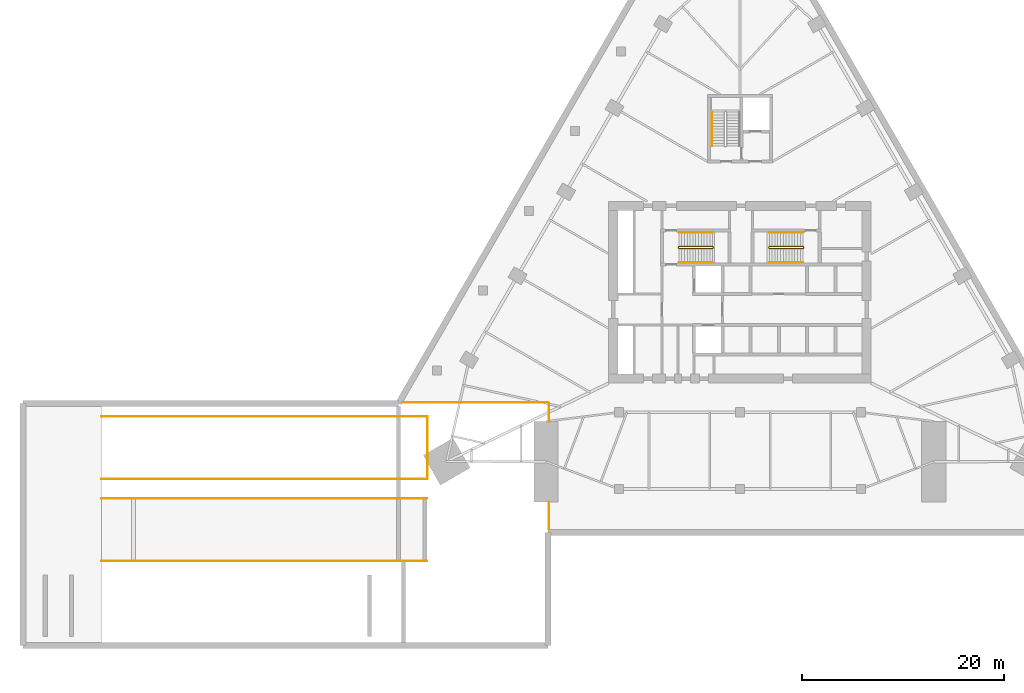
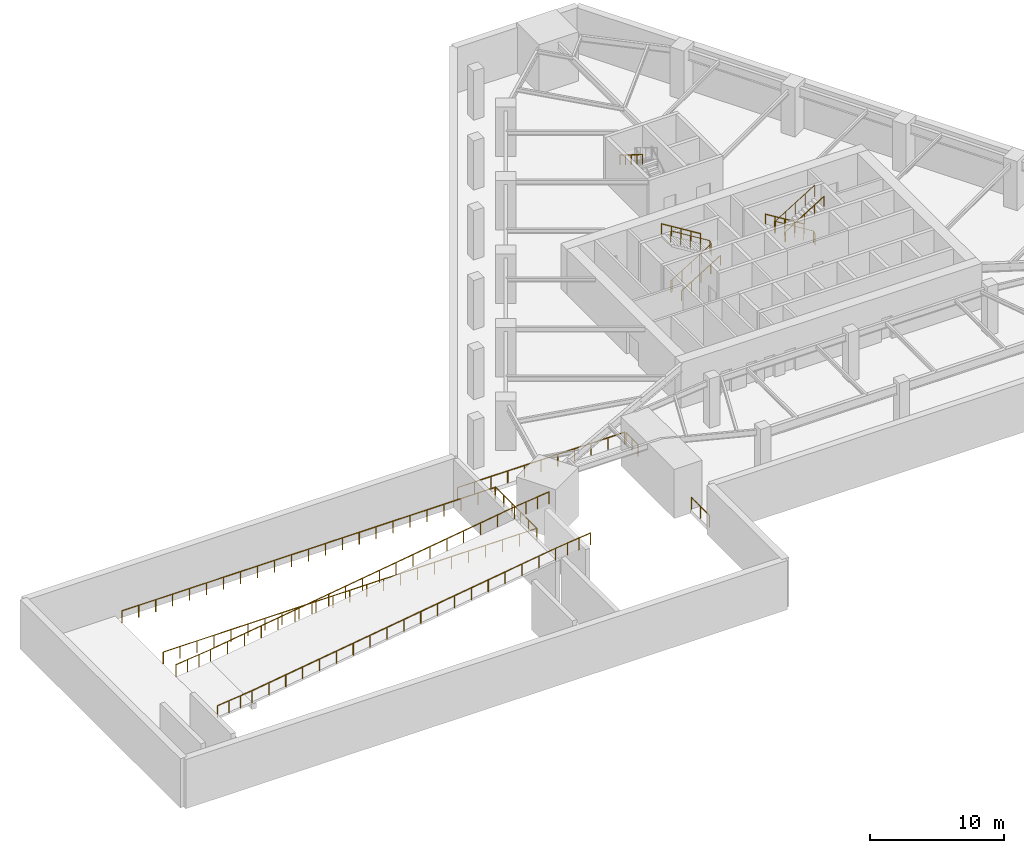
# One storey, part 6 of 7: 15 railings.
"""IFC4 building model written with IfcOpenShell, lengths in metres."""

from ifc_helpers import new_model, si_unit, direction, frame, origin, origin_2d, place, context, subcontext, project, spatial, circle, extrude, material, type_object, element, save


model = new_model("IFC4")

# Units and contexts
model_context = context("Model", 3, precision=1e-05, world=origin(), true_north=direction((0.0, 1.0)))
body_context = subcontext(model_context, "Body", "Model", "MODEL_VIEW")
ifc_project = project(units=[si_unit("LENGTHUNIT", "METRE"), si_unit("AREAUNIT", "SQUARE_METRE"), si_unit("VOLUMEUNIT", "CUBIC_METRE"), si_unit("PLANEANGLEUNIT", "RADIAN"), si_unit("MASSUNIT", "GRAM", prefix="KILO")], contexts=[model_context])

# Site, building, storey
site_placement = place(None, origin())
site = spatial("IfcSite", under=ifc_project, at=site_placement, CompositionType="ELEMENT")
building_placement = place(site_placement, origin())
building = spatial("IfcBuilding", under=site, at=building_placement, Name="Firuza Gate Tower and Library", CompositionType="ELEMENT")
storey_placement = place(building_placement, frame((0.0, 0.0, -9.5)))
storey = spatial("IfcBuildingStorey", under=building, at=storey_placement, Name="B2", CompositionType="ELEMENT", Elevation=-9.5)

# Railings
ifc_material_1 = material(Name="Steel S355", Category="steel")
railing_type_1 = type_object("IfcRailingType", Name="Ramp guard 1100", PredefinedType="GUARDRAIL", material=ifc_material_1)
railing_1_placement = place(storey_placement, frame((11.75, 56.5, 0.0)))
element("IfcRailing", 1, at=railing_1_placement, inside=storey, type_object=railing_type_1, Name="Ramp R3 opening guard S", PredefinedType="GUARDRAIL", context=body_context, shape_type="SweptSolid", body=[
    extrude(circle(Radius=0.02392578125, at=origin_2d()), frame((0.0, 0.0, 1.076171875), z_axis=(1.0, 0.0, 0.0), x_axis=(0.0, 1.0, 0.0)), (0.0, 0.0, 1.0), 32.25),
    extrude(circle(Radius=0.02099609375, at=origin_2d()), origin(), (0.0, 0.0, 1.0), 1.052001953125),
    extrude(circle(Radius=0.02099609375, at=origin_2d()), frame((1.4658203125, 0.0, 0.0)), (0.0, 0.0, 1.0), 1.052001953125),
    extrude(circle(Radius=0.02099609375, at=origin_2d()), frame((2.931884765625, 0.0, 0.0)), (0.0, 0.0, 1.0), 1.052001953125),
    extrude(circle(Radius=0.02099609375, at=origin_2d()), frame((4.397705078125, 0.0, 0.0)), (0.0, 0.0, 1.0), 1.052001953125),
    extrude(circle(Radius=0.02099609375, at=origin_2d()), frame((5.863525390625, 0.0, 0.0)), (0.0, 0.0, 1.0), 1.052001953125),
    extrude(circle(Radius=0.02099609375, at=origin_2d()), frame((7.32958984375, 0.0, 0.0)), (0.0, 0.0, 1.0), 1.052001953125),
    extrude(circle(Radius=0.02099609375, at=origin_2d()), frame((8.79541015625, 0.0, 0.0)), (0.0, 0.0, 1.0), 1.052001953125),
    extrude(circle(Radius=0.02099609375, at=origin_2d()), frame((10.261474609375, 0.0, 0.0)), (0.0, 0.0, 1.0), 1.052001953125),
    extrude(circle(Radius=0.02099609375, at=origin_2d()), frame((11.727294921875, 0.0, 0.0)), (0.0, 0.0, 1.0), 1.052001953125),
    extrude(circle(Radius=0.02099609375, at=origin_2d()), frame((13.193115234375, 0.0, 0.0)), (0.0, 0.0, 1.0), 1.052001953125),
    extrude(circle(Radius=0.02099609375, at=origin_2d()), frame((14.6591796875, 0.0, 0.0)), (0.0, 0.0, 1.0), 1.052001953125),
    extrude(circle(Radius=0.02099609375, at=origin_2d()), frame((16.125, 0.0, 0.0)), (0.0, 0.0, 1.0), 1.052001953125),
    extrude(circle(Radius=0.02099609375, at=origin_2d()), frame((17.5908203125, 0.0, 0.0)), (0.0, 0.0, 1.0), 1.052001953125),
    extrude(circle(Radius=0.02099609375, at=origin_2d()), frame((19.056884765625, 0.0, 0.0)), (0.0, 0.0, 1.0), 1.052001953125),
    extrude(circle(Radius=0.02099609375, at=origin_2d()), frame((20.522705078125, 0.0, 0.0)), (0.0, 0.0, 1.0), 1.052001953125),
    extrude(circle(Radius=0.02099609375, at=origin_2d()), frame((21.988525390625, 0.0, 0.0)), (0.0, 0.0, 1.0), 1.052001953125),
    extrude(circle(Radius=0.02099609375, at=origin_2d()), frame((23.45458984375, 0.0, 0.0)), (0.0, 0.0, 1.0), 1.052001953125),
    extrude(circle(Radius=0.02099609375, at=origin_2d()), frame((24.92041015625, 0.0, 0.0)), (0.0, 0.0, 1.0), 1.052001953125),
    extrude(circle(Radius=0.02099609375, at=origin_2d()), frame((26.386474609375, 0.0, 0.0)), (0.0, 0.0, 1.0), 1.052001953125),
    extrude(circle(Radius=0.02099609375, at=origin_2d()), frame((27.852294921875, 0.0, 0.0)), (0.0, 0.0, 1.0), 1.052001953125),
    extrude(circle(Radius=0.02099609375, at=origin_2d()), frame((29.318115234375, 0.0, 0.0)), (0.0, 0.0, 1.0), 1.052001953125),
    extrude(circle(Radius=0.02099609375, at=origin_2d()), frame((30.7841796875, 0.0, 0.0)), (0.0, 0.0, 1.0), 1.052001953125),
    extrude(circle(Radius=0.02099609375, at=origin_2d()), frame((32.25, 0.0, 0.0)), (0.0, 0.0, 1.0), 1.052001953125),
])
railing_2_placement = place(storey_placement, frame((11.75, 62.699951171875, 0.0)))
element("IfcRailing", 2, at=railing_2_placement, inside=storey, type_object=railing_type_1, Name="Ramp R3 opening guard N", PredefinedType="GUARDRAIL", context=body_context, shape_type="SweptSolid", body=[
    extrude(circle(Radius=0.02392578125, at=origin_2d()), frame((0.0, 0.0, 1.076171875), z_axis=(1.0, 0.0, 0.0), x_axis=(0.0, 1.0, 0.0)), (0.0, 0.0, 1.0), 32.25),
    extrude(circle(Radius=0.02099609375, at=origin_2d()), origin(), (0.0, 0.0, 1.0), 1.052001953125),
    extrude(circle(Radius=0.02099609375, at=origin_2d()), frame((1.4658203125, 0.0, 0.0)), (0.0, 0.0, 1.0), 1.052001953125),
    extrude(circle(Radius=0.02099609375, at=origin_2d()), frame((2.931884765625, 0.0, 0.0)), (0.0, 0.0, 1.0), 1.052001953125),
    extrude(circle(Radius=0.02099609375, at=origin_2d()), frame((4.397705078125, 0.0, 0.0)), (0.0, 0.0, 1.0), 1.052001953125),
    extrude(circle(Radius=0.02099609375, at=origin_2d()), frame((5.863525390625, 0.0, 0.0)), (0.0, 0.0, 1.0), 1.052001953125),
    extrude(circle(Radius=0.02099609375, at=origin_2d()), frame((7.32958984375, 0.0, 0.0)), (0.0, 0.0, 1.0), 1.052001953125),
    extrude(circle(Radius=0.02099609375, at=origin_2d()), frame((8.79541015625, 0.0, 0.0)), (0.0, 0.0, 1.0), 1.052001953125),
    extrude(circle(Radius=0.02099609375, at=origin_2d()), frame((10.261474609375, 0.0, 0.0)), (0.0, 0.0, 1.0), 1.052001953125),
    extrude(circle(Radius=0.02099609375, at=origin_2d()), frame((11.727294921875, 0.0, 0.0)), (0.0, 0.0, 1.0), 1.052001953125),
    extrude(circle(Radius=0.02099609375, at=origin_2d()), frame((13.193115234375, 0.0, 0.0)), (0.0, 0.0, 1.0), 1.052001953125),
    extrude(circle(Radius=0.02099609375, at=origin_2d()), frame((14.6591796875, 0.0, 0.0)), (0.0, 0.0, 1.0), 1.052001953125),
    extrude(circle(Radius=0.02099609375, at=origin_2d()), frame((16.125, 0.0, 0.0)), (0.0, 0.0, 1.0), 1.052001953125),
    extrude(circle(Radius=0.02099609375, at=origin_2d()), frame((17.5908203125, 0.0, 0.0)), (0.0, 0.0, 1.0), 1.052001953125),
    extrude(circle(Radius=0.02099609375, at=origin_2d()), frame((19.056884765625, 0.0, 0.0)), (0.0, 0.0, 1.0), 1.052001953125),
    extrude(circle(Radius=0.02099609375, at=origin_2d()), frame((20.522705078125, 0.0, 0.0)), (0.0, 0.0, 1.0), 1.052001953125),
    extrude(circle(Radius=0.02099609375, at=origin_2d()), frame((21.988525390625, 0.0, 0.0)), (0.0, 0.0, 1.0), 1.052001953125),
    extrude(circle(Radius=0.02099609375, at=origin_2d()), frame((23.45458984375, 0.0, 0.0)), (0.0, 0.0, 1.0), 1.052001953125),
    extrude(circle(Radius=0.02099609375, at=origin_2d()), frame((24.92041015625, 0.0, 0.0)), (0.0, 0.0, 1.0), 1.052001953125),
    extrude(circle(Radius=0.02099609375, at=origin_2d()), frame((26.386474609375, 0.0, 0.0)), (0.0, 0.0, 1.0), 1.052001953125),
    extrude(circle(Radius=0.02099609375, at=origin_2d()), frame((27.852294921875, 0.0, 0.0)), (0.0, 0.0, 1.0), 1.052001953125),
    extrude(circle(Radius=0.02099609375, at=origin_2d()), frame((29.318115234375, 0.0, 0.0)), (0.0, 0.0, 1.0), 1.052001953125),
    extrude(circle(Radius=0.02099609375, at=origin_2d()), frame((30.7841796875, 0.0, 0.0)), (0.0, 0.0, 1.0), 1.052001953125),
    extrude(circle(Radius=0.02099609375, at=origin_2d()), frame((32.25, 0.0, 0.0)), (0.0, 0.0, 1.0), 1.052001953125),
])
railing_3_placement = place(storey_placement, frame((44.050048828125, 56.5, 0.0)))
element("IfcRailing", 3, at=railing_3_placement, inside=storey, type_object=railing_type_1, Name="Ramp R3 opening guard E", PredefinedType="GUARDRAIL", context=body_context, shape_type="SweptSolid", body=[
    extrude(circle(Radius=0.02392578125, at=origin_2d()), frame((0.0, 0.0, 1.076171875), z_axis=(0.0, 1.0, 0.0), x_axis=(-1.0, 0.0, 0.0)), (0.0, 0.0, 1.0), 6.199951171875),
    extrude(circle(Radius=0.02099609375, at=origin_2d()), origin(), (0.0, 0.0, 1.0), 1.052001953125),
    extrude(circle(Radius=0.02099609375, at=origin_2d()), frame((0.0, 1.239990234375, 0.0)), (0.0, 0.0, 1.0), 1.052001953125),
    extrude(circle(Radius=0.02099609375, at=origin_2d()), frame((0.0, 2.47998046875, 0.0)), (0.0, 0.0, 1.0), 1.052001953125),
    extrude(circle(Radius=0.02099609375, at=origin_2d()), frame((0.0, 3.719970703125, 0.0)), (0.0, 0.0, 1.0), 1.052001953125),
    extrude(circle(Radius=0.02099609375, at=origin_2d()), frame((0.0, 4.9599609375, 0.0)), (0.0, 0.0, 1.0), 1.052001953125),
    extrude(circle(Radius=0.02099609375, at=origin_2d()), frame((0.0, 6.199951171875, 0.0)), (0.0, 0.0, 1.0), 1.052001953125),
])
railing_4_placement = place(storey_placement, frame((44.0, 48.39990234375, 4.5)))
element("IfcRailing", 4, at=railing_4_placement, inside=storey, type_object=railing_type_1, Name="Car ramp 2 guard 1", PredefinedType="GUARDRAIL", context=body_context, shape_type="SweptSolid", body=[
    extrude(circle(Radius=0.02392578125, at=origin_2d()), frame((0.0, 0.0, 1.076171875), z_axis=(-0.99388669344, 0.0, -0.110404893925), x_axis=(0.0, -1.0, 0.0)), (0.0, 0.0, 1.0), 3.0185546875),
    extrude(circle(Radius=0.02392578125, at=origin_2d()), frame((-3.0, 0.0, 0.74267578125), z_axis=(-0.989504049855, 0.0, -0.144505139424), x_axis=(0.0, -1.0, 0.0)), (0.0, 0.0, 1.0), 26.5283203125),
    extrude(circle(Radius=0.02392578125, at=origin_2d()), frame((-29.25, 0.0, -3.0908203125), z_axis=(-0.99388669344, 0.0, -0.110404893925), x_axis=(0.0, -1.0, 0.0)), (0.0, 0.0, 1.0), 3.0185546875),
    extrude(circle(Radius=0.02099609375, at=origin_2d()), origin(), (0.0, 0.0, 1.0), 1.052001953125),
    extrude(circle(Radius=0.02099609375, at=origin_2d()), frame((-1.0, 0.0, -0.111083984375)), (0.0, 0.0, 1.0), 1.052001953125),
    extrude(circle(Radius=0.02099609375, at=origin_2d()), frame((-2.0, 0.0, -0.22216796875)), (0.0, 0.0, 1.0), 1.052001953125),
    extrude(circle(Radius=0.02099609375, at=origin_2d()), frame((-3.0, 0.0, -0.333251953125)), (0.0, 0.0, 1.0), 1.052001953125),
    extrude(circle(Radius=0.02099609375, at=origin_2d()), frame((-4.458251953125, 0.0, -0.546142578125)), (0.0, 0.0, 1.0), 1.052001953125),
    extrude(circle(Radius=0.02099609375, at=origin_2d()), frame((-5.916748046875, 0.0, -0.75927734375)), (0.0, 0.0, 1.0), 1.052001953125),
    extrude(circle(Radius=0.02099609375, at=origin_2d()), frame((-7.375, 0.0, -0.97216796875)), (0.0, 0.0, 1.0), 1.052001953125),
    extrude(circle(Radius=0.02099609375, at=origin_2d()), frame((-8.833251953125, 0.0, -1.18505859375)), (0.0, 0.0, 1.0), 1.052001953125),
    extrude(circle(Radius=0.02099609375, at=origin_2d()), frame((-10.291748046875, 0.0, -1.398193359375)), (0.0, 0.0, 1.0), 1.052001953125),
    extrude(circle(Radius=0.02099609375, at=origin_2d()), frame((-11.75, 0.0, -1.611083984375)), (0.0, 0.0, 1.0), 1.052001953125),
    extrude(circle(Radius=0.02099609375, at=origin_2d()), frame((-13.208251953125, 0.0, -1.823974609375)), (0.0, 0.0, 1.0), 1.052001953125),
    extrude(circle(Radius=0.02099609375, at=origin_2d()), frame((-14.666748046875, 0.0, -2.037109375)), (0.0, 0.0, 1.0), 1.052001953125),
    extrude(circle(Radius=0.02099609375, at=origin_2d()), frame((-16.125, 0.0, -2.25)), (0.0, 0.0, 1.0), 1.052001953125),
    extrude(circle(Radius=0.02099609375, at=origin_2d()), frame((-17.583251953125, 0.0, -2.462890625)), (0.0, 0.0, 1.0), 1.052001953125),
    extrude(circle(Radius=0.02099609375, at=origin_2d()), frame((-19.041748046875, 0.0, -2.676025390625)), (0.0, 0.0, 1.0), 1.052001953125),
    extrude(circle(Radius=0.02099609375, at=origin_2d()), frame((-20.5, 0.0, -2.888916015625)), (0.0, 0.0, 1.0), 1.052001953125),
    extrude(circle(Radius=0.02099609375, at=origin_2d()), frame((-21.958251953125, 0.0, -3.101806640625)), (0.0, 0.0, 1.0), 1.052001953125),
    extrude(circle(Radius=0.02099609375, at=origin_2d()), frame((-23.416748046875, 0.0, -3.31494140625)), (0.0, 0.0, 1.0), 1.052001953125),
    extrude(circle(Radius=0.02099609375, at=origin_2d()), frame((-24.875, 0.0, -3.52783203125)), (0.0, 0.0, 1.0), 1.052001953125),
    extrude(circle(Radius=0.02099609375, at=origin_2d()), frame((-26.333251953125, 0.0, -3.74072265625)), (0.0, 0.0, 1.0), 1.052001953125),
    extrude(circle(Radius=0.02099609375, at=origin_2d()), frame((-27.791748046875, 0.0, -3.953857421875)), (0.0, 0.0, 1.0), 1.052001953125),
    extrude(circle(Radius=0.02099609375, at=origin_2d()), frame((-29.25, 0.0, -4.166748046875)), (0.0, 0.0, 1.0), 1.052001953125),
    extrude(circle(Radius=0.02099609375, at=origin_2d()), frame((-30.25, 0.0, -4.27783203125)), (0.0, 0.0, 1.0), 1.052001953125),
    extrude(circle(Radius=0.02099609375, at=origin_2d()), frame((-31.25, 0.0, -4.388916015625)), (0.0, 0.0, 1.0), 1.052001953125),
    extrude(circle(Radius=0.02099609375, at=origin_2d()), frame((-32.25, 0.0, -4.5)), (0.0, 0.0, 1.0), 1.052001953125),
])
railing_5_placement = place(storey_placement, frame((44.0, 54.60009765625, 4.5)))
element("IfcRailing", 5, at=railing_5_placement, inside=storey, type_object=railing_type_1, Name="Car ramp 2 guard 2", PredefinedType="GUARDRAIL", context=body_context, shape_type="SweptSolid", body=[
    extrude(circle(Radius=0.02392578125, at=origin_2d()), frame((0.0, 0.0, 1.076171875), z_axis=(-0.99388669344, 0.0, -0.110404893925), x_axis=(0.0, -1.0, 0.0)), (0.0, 0.0, 1.0), 3.0185546875),
    extrude(circle(Radius=0.02392578125, at=origin_2d()), frame((-3.0, 0.0, 0.74267578125), z_axis=(-0.989504049855, 0.0, -0.144505139424), x_axis=(0.0, -1.0, 0.0)), (0.0, 0.0, 1.0), 26.5283203125),
    extrude(circle(Radius=0.02392578125, at=origin_2d()), frame((-29.25, 0.0, -3.0908203125), z_axis=(-0.99388669344, 0.0, -0.110404893925), x_axis=(0.0, -1.0, 0.0)), (0.0, 0.0, 1.0), 3.0185546875),
    extrude(circle(Radius=0.02099609375, at=origin_2d()), origin(), (0.0, 0.0, 1.0), 1.052001953125),
    extrude(circle(Radius=0.02099609375, at=origin_2d()), frame((-1.0, 0.0, -0.111083984375)), (0.0, 0.0, 1.0), 1.052001953125),
    extrude(circle(Radius=0.02099609375, at=origin_2d()), frame((-2.0, 0.0, -0.22216796875)), (0.0, 0.0, 1.0), 1.052001953125),
    extrude(circle(Radius=0.02099609375, at=origin_2d()), frame((-3.0, 0.0, -0.333251953125)), (0.0, 0.0, 1.0), 1.052001953125),
    extrude(circle(Radius=0.02099609375, at=origin_2d()), frame((-4.458251953125, 0.0, -0.546142578125)), (0.0, 0.0, 1.0), 1.052001953125),
    extrude(circle(Radius=0.02099609375, at=origin_2d()), frame((-5.916748046875, 0.0, -0.75927734375)), (0.0, 0.0, 1.0), 1.052001953125),
    extrude(circle(Radius=0.02099609375, at=origin_2d()), frame((-7.375, 0.0, -0.97216796875)), (0.0, 0.0, 1.0), 1.052001953125),
    extrude(circle(Radius=0.02099609375, at=origin_2d()), frame((-8.833251953125, 0.0, -1.18505859375)), (0.0, 0.0, 1.0), 1.052001953125),
    extrude(circle(Radius=0.02099609375, at=origin_2d()), frame((-10.291748046875, 0.0, -1.398193359375)), (0.0, 0.0, 1.0), 1.052001953125),
    extrude(circle(Radius=0.02099609375, at=origin_2d()), frame((-11.75, 0.0, -1.611083984375)), (0.0, 0.0, 1.0), 1.052001953125),
    extrude(circle(Radius=0.02099609375, at=origin_2d()), frame((-13.208251953125, 0.0, -1.823974609375)), (0.0, 0.0, 1.0), 1.052001953125),
    extrude(circle(Radius=0.02099609375, at=origin_2d()), frame((-14.666748046875, 0.0, -2.037109375)), (0.0, 0.0, 1.0), 1.052001953125),
    extrude(circle(Radius=0.02099609375, at=origin_2d()), frame((-16.125, 0.0, -2.25)), (0.0, 0.0, 1.0), 1.052001953125),
    extrude(circle(Radius=0.02099609375, at=origin_2d()), frame((-17.583251953125, 0.0, -2.462890625)), (0.0, 0.0, 1.0), 1.052001953125),
    extrude(circle(Radius=0.02099609375, at=origin_2d()), frame((-19.041748046875, 0.0, -2.676025390625)), (0.0, 0.0, 1.0), 1.052001953125),
    extrude(circle(Radius=0.02099609375, at=origin_2d()), frame((-20.5, 0.0, -2.888916015625)), (0.0, 0.0, 1.0), 1.052001953125),
    extrude(circle(Radius=0.02099609375, at=origin_2d()), frame((-21.958251953125, 0.0, -3.101806640625)), (0.0, 0.0, 1.0), 1.052001953125),
    extrude(circle(Radius=0.02099609375, at=origin_2d()), frame((-23.416748046875, 0.0, -3.31494140625)), (0.0, 0.0, 1.0), 1.052001953125),
    extrude(circle(Radius=0.02099609375, at=origin_2d()), frame((-24.875, 0.0, -3.52783203125)), (0.0, 0.0, 1.0), 1.052001953125),
    extrude(circle(Radius=0.02099609375, at=origin_2d()), frame((-26.333251953125, 0.0, -3.74072265625)), (0.0, 0.0, 1.0), 1.052001953125),
    extrude(circle(Radius=0.02099609375, at=origin_2d()), frame((-27.791748046875, 0.0, -3.953857421875)), (0.0, 0.0, 1.0), 1.052001953125),
    extrude(circle(Radius=0.02099609375, at=origin_2d()), frame((-29.25, 0.0, -4.166748046875)), (0.0, 0.0, 1.0), 1.052001953125),
    extrude(circle(Radius=0.02099609375, at=origin_2d()), frame((-30.25, 0.0, -4.27783203125)), (0.0, 0.0, 1.0), 1.052001953125),
    extrude(circle(Radius=0.02099609375, at=origin_2d()), frame((-31.25, 0.0, -4.388916015625)), (0.0, 0.0, 1.0), 1.052001953125),
    extrude(circle(Radius=0.02099609375, at=origin_2d()), frame((-32.25, 0.0, -4.5)), (0.0, 0.0, 1.0), 1.052001953125),
])
railing_6_placement = place(storey_placement, frame((41.57763671875, 64.080078125, 0.0)))
element("IfcRailing", 6, at=railing_6_placement, inside=storey, type_object=railing_type_1, Name="B2 slab edge guard 1", PredefinedType="GUARDRAIL", context=body_context, shape_type="SweptSolid", body=[
    extrude(circle(Radius=0.02392578125, at=origin_2d()), frame((0.0, 0.0, 1.076171875), z_axis=(1.0, 0.0, 0.0), x_axis=(0.0, 1.0, 0.0)), (0.0, 0.0, 1.0), 14.42236328125),
    extrude(circle(Radius=0.02099609375, at=origin_2d()), origin(), (0.0, 0.0, 1.0), 1.052001953125),
    extrude(circle(Radius=0.02099609375, at=origin_2d()), frame((1.442138671875, 0.0, 0.0)), (0.0, 0.0, 1.0), 1.052001953125),
    extrude(circle(Radius=0.02099609375, at=origin_2d()), frame((2.884521484375, 0.0, 0.0)), (0.0, 0.0, 1.0), 1.052001953125),
    extrude(circle(Radius=0.02099609375, at=origin_2d()), frame((4.32666015625, 0.0, 0.0)), (0.0, 0.0, 1.0), 1.052001953125),
    extrude(circle(Radius=0.02099609375, at=origin_2d()), frame((5.76904296875, 0.0, 0.0)), (0.0, 0.0, 1.0), 1.052001953125),
    extrude(circle(Radius=0.02099609375, at=origin_2d()), frame((7.211181640625, 0.0, 0.0)), (0.0, 0.0, 1.0), 1.052001953125),
    extrude(circle(Radius=0.02099609375, at=origin_2d()), frame((8.6533203125, 0.0, 0.0)), (0.0, 0.0, 1.0), 1.052001953125),
    extrude(circle(Radius=0.02099609375, at=origin_2d()), frame((10.095703125, 0.0, 0.0)), (0.0, 0.0, 1.0), 1.052001953125),
    extrude(circle(Radius=0.02099609375, at=origin_2d()), frame((11.537841796875, 0.0, 0.0)), (0.0, 0.0, 1.0), 1.052001953125),
    extrude(circle(Radius=0.02099609375, at=origin_2d()), frame((12.980224609375, 0.0, 0.0)), (0.0, 0.0, 1.0), 1.052001953125),
    extrude(circle(Radius=0.02099609375, at=origin_2d()), frame((14.42236328125, 0.0, 0.0)), (0.0, 0.0, 1.0), 1.052001953125),
])
railing_7_placement = place(storey_placement, frame((56.080078125, 64.0, 0.0)))
element("IfcRailing", 7, at=railing_7_placement, inside=storey, type_object=railing_type_1, Name="B2 slab edge guard 2", PredefinedType="GUARDRAIL", context=body_context, shape_type="SweptSolid", body=[
    extrude(circle(Radius=0.02392578125, at=origin_2d()), frame((0.0, 0.0, 1.076171875), z_axis=(0.0, -1.0, 0.0), x_axis=(1.0, 0.0, 0.0)), (0.0, 0.0, 1.0), 1.78466796875),
    extrude(circle(Radius=0.02099609375, at=origin_2d()), origin(), (0.0, 0.0, 1.0), 1.052001953125),
    extrude(circle(Radius=0.02099609375, at=origin_2d()), frame((0.0, -0.892333984375, 0.0)), (0.0, 0.0, 1.0), 1.052001953125),
    extrude(circle(Radius=0.02099609375, at=origin_2d()), frame((0.0, -1.78466796875, 0.0)), (0.0, 0.0, 1.0), 1.052001953125),
])
railing_8_placement = place(storey_placement, frame((56.080078125, 54.21533203125, 0.0)))
element("IfcRailing", 8, at=railing_8_placement, inside=storey, type_object=railing_type_1, Name="B2 slab edge guard 3", PredefinedType="GUARDRAIL", context=body_context, shape_type="SweptSolid", body=[
    extrude(circle(Radius=0.02392578125, at=origin_2d()), frame((0.0, 0.0, 1.076171875), z_axis=(0.0, -1.0, 0.0), x_axis=(1.0, 0.0, 0.0)), (0.0, 0.0, 1.0), 2.699951171875),
    extrude(circle(Radius=0.02099609375, at=origin_2d()), origin(), (0.0, 0.0, 1.0), 1.052001953125),
    extrude(circle(Radius=0.02099609375, at=origin_2d()), frame((0.0, -1.35009765625, 0.0)), (0.0, 0.0, 1.0), 1.052001953125),
    extrude(circle(Radius=0.02099609375, at=origin_2d()), frame((0.0, -2.699951171875, 0.0)), (0.0, 0.0, 1.0), 1.052001953125),
])
ifc_material_2 = material(Name="Steel S355", Category="steel")
railing_type_2 = type_object("IfcRailingType", Name="Stair guard 1100", PredefinedType="GUARDRAIL", material=ifc_material_2)
railing_9_placement = place(storey_placement, frame((68.889892578125, 79.389892578125, 0.0)))
element("IfcRailing", 9, at=railing_9_placement, inside=storey, type_object=railing_type_2, Name="B2 ST1 stair guard 1", PredefinedType="GUARDRAIL", context=body_context, shape_type="SweptSolid", body=[
    extrude(circle(Radius=0.02392578125, at=origin_2d()), frame((0.0, 0.0, 1.076171875), z_axis=(0.0, 1.0, 0.0), x_axis=(-1.0, 0.0, 0.0)), (0.0, 0.0, 1.0), 0.10009765625),
    extrude(circle(Radius=0.02392578125, at=origin_2d()), frame((0.0, 0.10009765625, 1.076171875), z_axis=(0.213529850563, -0.639547942662, 0.73850080024), x_axis=(0.948528701346, 0.316691178788, 0.0)), (0.0, 0.0, 1.0), 0.234375),
    extrude(circle(Radius=0.02392578125, at=origin_2d()), frame((0.050048828125, -0.0498046875, 1.2490234375), z_axis=(0.850623216509, 0.0, 0.525775754039), x_axis=(0.0, 1.0, 0.0)), (0.0, 0.0, 1.0), 3.9501953125),
    extrude(circle(Radius=0.02392578125, at=origin_2d()), frame((3.41015625, -0.0498046875, 3.326171875), z_axis=(0.708833529934, 0.705375805398, 0.0), x_axis=(-0.705375805398, 0.708833529934, 0.0)), (0.0, 0.0, 1.0), 0.070556640625),
    extrude(circle(Radius=0.02392578125, at=origin_2d()), frame((3.460205078125, 0.0, 3.326171875), z_axis=(0.0, 1.0, 0.0), x_axis=(-1.0, 0.0, 0.0)), (0.0, 0.0, 1.0), 0.10009765625),
    extrude(circle(Radius=0.02392578125, at=origin_2d()), frame((3.460205078125, 0.10009765625, 3.326171875), z_axis=(-0.267629722418, 0.267629722418, 0.925607186314), x_axis=(-0.707106781187, -0.707106781187, 0.0)), (0.0, 0.0, 1.0), 0.18701171875),
    extrude(circle(Radius=0.02392578125, at=origin_2d()), frame((3.41015625, 0.150146484375, 3.4990234375), z_axis=(-0.850623216509, 0.0, 0.525775754039), x_axis=(0.0, -1.0, 0.0)), (0.0, 0.0, 1.0), 3.9501953125),
    extrude(circle(Radius=0.02099609375, at=origin_2d()), origin(), (0.0, 0.0, 1.0), 1.052001953125),
    extrude(circle(Radius=0.02099609375, at=origin_2d()), frame((0.0, 0.10009765625, 0.0)), (0.0, 0.0, 1.0), 1.052001953125),
    extrude(circle(Radius=0.02099609375, at=origin_2d()), frame((0.050048828125, -0.0498046875, 0.173095703125)), (0.0, 0.0, 1.0), 1.052001953125),
    extrude(circle(Radius=0.02099609375, at=origin_2d()), frame((0.89013671875, -0.0498046875, 0.6923828125)), (0.0, 0.0, 1.0), 1.052001953125),
    extrude(circle(Radius=0.02099609375, at=origin_2d()), frame((1.72998046875, -0.0498046875, 1.21142578125)), (0.0, 0.0, 1.0), 1.052001953125),
    extrude(circle(Radius=0.02099609375, at=origin_2d()), frame((2.570068359375, -0.0498046875, 1.730712890625)), (0.0, 0.0, 1.0), 1.052001953125),
    extrude(circle(Radius=0.02099609375, at=origin_2d()), frame((3.41015625, -0.0498046875, 2.25)), (0.0, 0.0, 1.0), 1.052001953125),
    extrude(circle(Radius=0.02099609375, at=origin_2d()), frame((3.460205078125, 0.0, 2.25)), (0.0, 0.0, 1.0), 1.052001953125),
    extrude(circle(Radius=0.02099609375, at=origin_2d()), frame((3.460205078125, 0.10009765625, 2.25)), (0.0, 0.0, 1.0), 1.052001953125),
    extrude(circle(Radius=0.02099609375, at=origin_2d()), frame((3.41015625, 0.150146484375, 2.423095703125)), (0.0, 0.0, 1.0), 1.052001953125),
    extrude(circle(Radius=0.02099609375, at=origin_2d()), frame((2.570068359375, 0.150146484375, 2.9423828125)), (0.0, 0.0, 1.0), 1.052001953125),
    extrude(circle(Radius=0.02099609375, at=origin_2d()), frame((1.72998046875, 0.150146484375, 3.46142578125)), (0.0, 0.0, 1.0), 1.052001953125),
    extrude(circle(Radius=0.02099609375, at=origin_2d()), frame((0.89013671875, 0.150146484375, 3.980712890625)), (0.0, 0.0, 1.0), 1.052001953125),
    extrude(circle(Radius=0.02099609375, at=origin_2d()), frame((0.050048828125, 0.150146484375, 4.5)), (0.0, 0.0, 1.0), 1.052001953125),
])
railing_10_placement = place(storey_placement, frame((81.31005859375, 79.489990234375, 0.0)))
element("IfcRailing", 10, at=railing_10_placement, inside=storey, type_object=railing_type_2, Name="B2 ST2 stair guard 1", PredefinedType="GUARDRAIL", context=body_context, shape_type="SweptSolid", body=[
    extrude(circle(Radius=0.02392578125, at=origin_2d()), frame((0.0, 0.0, 1.076171875), z_axis=(0.0, -1.0, 0.0), x_axis=(1.0, 0.0, 0.0)), (0.0, 0.0, 1.0), 0.10009765625),
    extrude(circle(Radius=0.02392578125, at=origin_2d()), frame((0.0, -0.10009765625, 1.076171875), z_axis=(-0.213387632126, 0.640162896378, 0.738008932572), x_axis=(-0.948683298051, -0.316227766017, 0.0)), (0.0, 0.0, 1.0), 0.234619140625),
    extrude(circle(Radius=0.02392578125, at=origin_2d()), frame((-0.050048828125, 0.050048828125, 1.2490234375), z_axis=(-0.850623216509, 0.0, 0.525775754039), x_axis=(0.0, -1.0, 0.0)), (0.0, 0.0, 1.0), 3.9501953125),
    extrude(circle(Radius=0.02392578125, at=origin_2d()), frame((-3.41015625, 0.050048828125, 3.326171875), z_axis=(-0.705375805398, -0.708833529934, 0.0), x_axis=(0.708833529934, -0.705375805398, 0.0)), (0.0, 0.0, 1.0), 0.070556640625),
    extrude(circle(Radius=0.02392578125, at=origin_2d()), frame((-3.4599609375, 0.0, 3.326171875), z_axis=(0.0, -1.0, 0.0), x_axis=(1.0, 0.0, 0.0)), (0.0, 0.0, 1.0), 0.10009765625),
    extrude(circle(Radius=0.02392578125, at=origin_2d()), frame((-3.4599609375, -0.10009765625, 3.326171875), z_axis=(0.26651005591, -0.26651005591, 0.926253086471), x_axis=(0.707106781187, 0.707106781187, 0.0)), (0.0, 0.0, 1.0), 0.186767578125),
    extrude(circle(Radius=0.02392578125, at=origin_2d()), frame((-3.41015625, -0.14990234375, 3.4990234375), z_axis=(0.850623216509, 0.0, 0.525775754039), x_axis=(0.0, 1.0, 0.0)), (0.0, 0.0, 1.0), 3.9501953125),
    extrude(circle(Radius=0.02099609375, at=origin_2d()), origin(), (0.0, 0.0, 1.0), 1.052001953125),
    extrude(circle(Radius=0.02099609375, at=origin_2d()), frame((0.0, -0.10009765625, 0.0)), (0.0, 0.0, 1.0), 1.052001953125),
    extrude(circle(Radius=0.02099609375, at=origin_2d()), frame((-0.050048828125, 0.050048828125, 0.173095703125)), (0.0, 0.0, 1.0), 1.052001953125),
    extrude(circle(Radius=0.02099609375, at=origin_2d()), frame((-0.89013671875, 0.050048828125, 0.6923828125)), (0.0, 0.0, 1.0), 1.052001953125),
    extrude(circle(Radius=0.02099609375, at=origin_2d()), frame((-1.72998046875, 0.050048828125, 1.21142578125)), (0.0, 0.0, 1.0), 1.052001953125),
    extrude(circle(Radius=0.02099609375, at=origin_2d()), frame((-2.570068359375, 0.050048828125, 1.730712890625)), (0.0, 0.0, 1.0), 1.052001953125),
    extrude(circle(Radius=0.02099609375, at=origin_2d()), frame((-3.41015625, 0.050048828125, 2.25)), (0.0, 0.0, 1.0), 1.052001953125),
    extrude(circle(Radius=0.02099609375, at=origin_2d()), frame((-3.4599609375, 0.0, 2.25)), (0.0, 0.0, 1.0), 1.052001953125),
    extrude(circle(Radius=0.02099609375, at=origin_2d()), frame((-3.4599609375, -0.10009765625, 2.25)), (0.0, 0.0, 1.0), 1.052001953125),
    extrude(circle(Radius=0.02099609375, at=origin_2d()), frame((-3.41015625, -0.14990234375, 2.423095703125)), (0.0, 0.0, 1.0), 1.052001953125),
    extrude(circle(Radius=0.02099609375, at=origin_2d()), frame((-2.570068359375, -0.14990234375, 2.9423828125)), (0.0, 0.0, 1.0), 1.052001953125),
    extrude(circle(Radius=0.02099609375, at=origin_2d()), frame((-1.72998046875, -0.14990234375, 3.46142578125)), (0.0, 0.0, 1.0), 1.052001953125),
    extrude(circle(Radius=0.02099609375, at=origin_2d()), frame((-0.89013671875, -0.14990234375, 3.980712890625)), (0.0, 0.0, 1.0), 1.052001953125),
    extrude(circle(Radius=0.02099609375, at=origin_2d()), frame((-0.050048828125, -0.14990234375, 4.5)), (0.0, 0.0, 1.0), 1.052001953125),
])
ifc_material_3 = material(Name="Steel S355", Category="steel")
railing_type_3 = type_object("IfcRailingType", Name="Stair handrail 900", PredefinedType="HANDRAIL", material=ifc_material_3)
railing_11_placement = place(storey_placement, frame((68.93994140625, 77.949951171875, 0.173095703125)))
element("IfcRailing", 11, at=railing_11_placement, inside=storey, type_object=railing_type_3, Name="B2 ST1 stair handrail 1", PredefinedType="HANDRAIL", context=body_context, shape_type="SweptSolid", body=[
    extrude(circle(Radius=0.02392578125, at=origin_2d()), frame((0.0, 0.0, 0.8759765625), z_axis=(0.850623216509, 0.0, 0.525775754039), x_axis=(0.0, 1.0, 0.0)), (0.0, 0.0, 1.0), 3.9501953125),
    extrude(circle(Radius=0.02099609375, at=origin_2d()), origin(), (0.0, 0.0, 1.0), 0.851806640625),
    extrude(circle(Radius=0.02099609375, at=origin_2d()), frame((0.840087890625, 0.0, 0.519287109375)), (0.0, 0.0, 1.0), 0.851806640625),
    extrude(circle(Radius=0.02099609375, at=origin_2d()), frame((1.68017578125, 0.0, 1.03857421875)), (0.0, 0.0, 1.0), 0.851806640625),
    extrude(circle(Radius=0.02099609375, at=origin_2d()), frame((2.52001953125, 0.0, 1.5576171875)), (0.0, 0.0, 1.0), 0.851806640625),
    extrude(circle(Radius=0.02099609375, at=origin_2d()), frame((3.360107421875, 0.0, 2.076904296875)), (0.0, 0.0, 1.0), 0.851806640625),
])
for number, where, name in (
    (12, (72.300048828125, 80.929931640625, 2.423095703125), "B2 ST1 stair handrail 2"),
    (13, (81.260009765625, 80.929931640625, 0.173095703125), "B2 ST2 stair handrail 1"),
):
    element("IfcRailing", number, at=place(storey_placement, frame(where)), inside=storey, type_object=railing_type_3, Name=name, PredefinedType="HANDRAIL", context=body_context, shape_type="SweptSolid", body=[
        extrude(circle(Radius=0.02392578125, at=origin_2d()), frame((0.0, 0.0, 0.8759765625), z_axis=(-0.850623216509, 0.0, 0.525775754039), x_axis=(0.0, -1.0, 0.0)), (0.0, 0.0, 1.0), 3.9501953125),
        extrude(circle(Radius=0.02099609375, at=origin_2d()), origin(), (0.0, 0.0, 1.0), 0.851806640625),
        extrude(circle(Radius=0.02099609375, at=origin_2d()), frame((-0.840087890625, 0.0, 0.519287109375)), (0.0, 0.0, 1.0), 0.851806640625),
        extrude(circle(Radius=0.02099609375, at=origin_2d()), frame((-1.68017578125, 0.0, 1.03857421875)), (0.0, 0.0, 1.0), 0.851806640625),
        extrude(circle(Radius=0.02099609375, at=origin_2d()), frame((-2.52001953125, 0.0, 1.5576171875)), (0.0, 0.0, 1.0), 0.851806640625),
        extrude(circle(Radius=0.02099609375, at=origin_2d()), frame((-3.360107421875, 0.0, 2.076904296875)), (0.0, 0.0, 1.0), 0.851806640625),
    ])
railing_12_placement = place(storey_placement, frame((77.89990234375, 77.949951171875, 2.423095703125)))
element("IfcRailing", 14, at=railing_12_placement, inside=storey, type_object=railing_type_3, Name="B2 ST2 stair handrail 2", PredefinedType="HANDRAIL", context=body_context, shape_type="SweptSolid", body=[
    extrude(circle(Radius=0.02392578125, at=origin_2d()), frame((0.0, 0.0, 0.8759765625), z_axis=(0.850623216509, 0.0, 0.525775754039), x_axis=(0.0, 1.0, 0.0)), (0.0, 0.0, 1.0), 3.9501953125),
    extrude(circle(Radius=0.02099609375, at=origin_2d()), origin(), (0.0, 0.0, 1.0), 0.851806640625),
    extrude(circle(Radius=0.02099609375, at=origin_2d()), frame((0.840087890625, 0.0, 0.519287109375)), (0.0, 0.0, 1.0), 0.851806640625),
    extrude(circle(Radius=0.02099609375, at=origin_2d()), frame((1.68017578125, 0.0, 1.03857421875)), (0.0, 0.0, 1.0), 0.851806640625),
    extrude(circle(Radius=0.02099609375, at=origin_2d()), frame((2.52001953125, 0.0, 1.5576171875)), (0.0, 0.0, 1.0), 0.851806640625),
    extrude(circle(Radius=0.02099609375, at=origin_2d()), frame((3.360107421875, 0.0, 2.076904296875)), (0.0, 0.0, 1.0), 0.851806640625),
])
railing_13_placement = place(storey_placement, frame((72.2099609375, 92.830078125, 2.423095703125)))
element("IfcRailing", 15, at=railing_13_placement, inside=storey, type_object=railing_type_3, Name="B2 ST3 stair handrail 2", PredefinedType="HANDRAIL", context=body_context, shape_type="SweptSolid", body=[
    extrude(circle(Radius=0.02392578125, at=origin_2d()), frame((0.0, 0.0, 0.8759765625), z_axis=(0.0, -0.850623216509, 0.525775754039), x_axis=(1.0, 0.0, 0.0)), (0.0, 0.0, 1.0), 3.9501953125),
    extrude(circle(Radius=0.02099609375, at=origin_2d()), origin(), (0.0, 0.0, 1.0), 0.851806640625),
    extrude(circle(Radius=0.02099609375, at=origin_2d()), frame((0.0, -0.840087890625, 0.519287109375)), (0.0, 0.0, 1.0), 0.851806640625),
    extrude(circle(Radius=0.02099609375, at=origin_2d()), frame((0.0, -1.68017578125, 1.03857421875)), (0.0, 0.0, 1.0), 0.851806640625),
    extrude(circle(Radius=0.02099609375, at=origin_2d()), frame((0.0, -2.52001953125, 1.5576171875)), (0.0, 0.0, 1.0), 0.851806640625),
    extrude(circle(Radius=0.02099609375, at=origin_2d()), frame((0.0, -3.360107421875, 2.076904296875)), (0.0, 0.0, 1.0), 0.851806640625),
])

save(model, "model.ifc")
